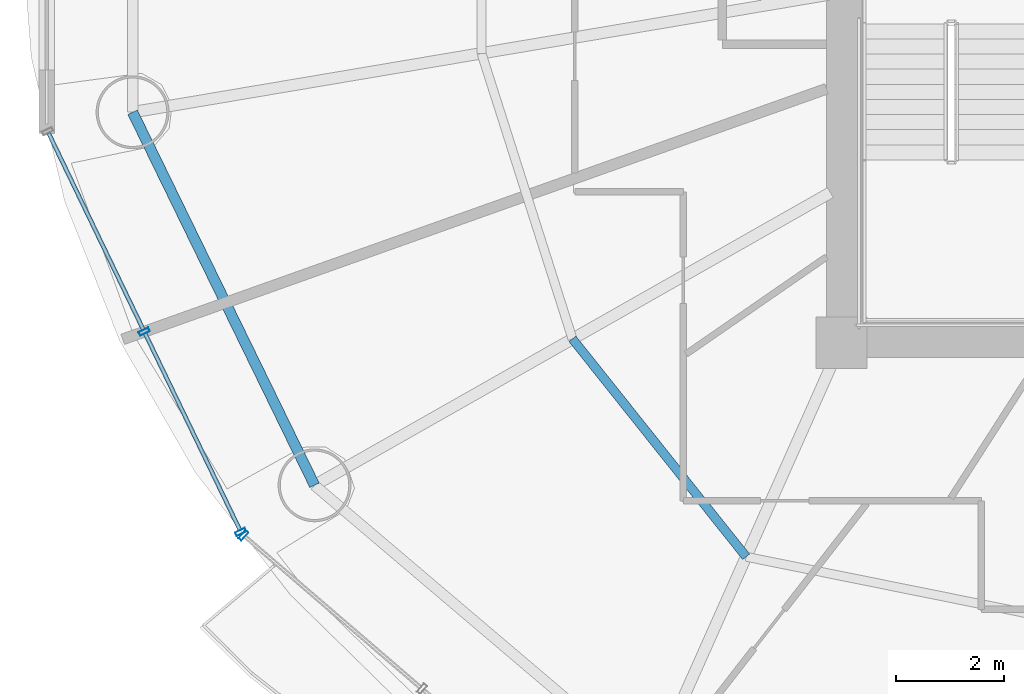
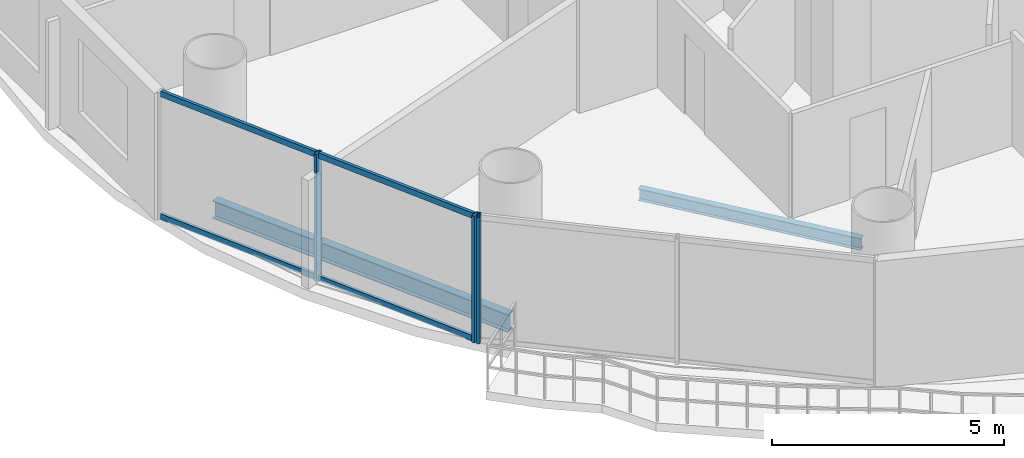
# One storey, part 3 of 27: 7 members, 2 beams, 2 elements without a shape of their own.
"""IFC4 building model written with IfcOpenShell, lengths in metres."""

from ifc_helpers import new_model, si_unit, direction, frame, origin, origin_2d, place, context, subcontext, project, spatial, hollow_rectangle, i_section, extrude, source, transform, mapped, material, material_profile, profile_set, type_object, element, aggregate, save


model = new_model("IFC4")

# Units and contexts
model_context = context("Model", 3, precision=1e-05, world=origin(), true_north=direction((-0.2419218956, 0.970295726276)))
body_context = subcontext(model_context, "Body", "Model", "MODEL_VIEW")
ifc_project = project(units=[si_unit("LENGTHUNIT", "METRE"), si_unit("AREAUNIT", "SQUARE_METRE"), si_unit("VOLUMEUNIT", "CUBIC_METRE"), si_unit("PLANEANGLEUNIT", "RADIAN"), si_unit("MASSUNIT", "GRAM", prefix="KILO")], contexts=[model_context])

# Site, building, storey
site_placement = place(None, origin())
site = spatial("IfcSite", under=ifc_project, at=site_placement, CompositionType="ELEMENT")
building_placement = place(site_placement, origin())
building = spatial("IfcBuilding", under=site, at=building_placement, Name="Cobrevalo Terracotta Tower", CompositionType="ELEMENT")
storey_placement = place(building_placement, frame((0.0, 0.0, 146.199951171875)))
storey = spatial("IfcBuildingStorey", under=building, at=storey_placement, Name="L38", CompositionType="ELEMENT", Elevation=146.199951171875)

# Beams
ifc_material_1 = material(Name="Steel S355", Category="steel")
ifc_material_profile_1 = material_profile(ifc_material_1, i_section(OverallWidth=0.1650390625, OverallDepth=0.31005859375, WebThickness=0.005859375, FlangeThickness=0.009765625, at=origin_2d()), Name="W 310x38.7")
ifc_profile_set_1 = profile_set([ifc_material_profile_1], Name="Steel S355")
beam_type_1 = type_object("IfcBeamType", Name="Structural Joist W 310x38.7 (Steel S355)", PredefinedType="JOIST", material=ifc_profile_set_1)
beam_1_placement = place(storey_placement, frame((24.022705078125, 18.868896484375, -0.425048828125), z_axis=(0.623382939397, -0.781916690492, 0.0), x_axis=(0.781916690492, 0.623382939397, 0.0)))
element("IfcBeam", 1, at=beam_1_placement, inside=storey, type_object=beam_type_1, Name="L38 circumferential secondary floor joist 10", PredefinedType="JOIST", context=body_context, shape_type="SweptSolid", body=[
    extrude(i_section(OverallWidth=0.1650390625, OverallDepth=0.31005859375, WebThickness=0.005859375, FlangeThickness=0.009765625, at=origin_2d()), origin(), (0.0, 0.0, 1.0), 5.154296875),
])
ifc_material_profile_2 = material_profile(ifc_material_1, i_section(OverallWidth=0.194091796875, OverallDepth=0.468994140625, WebThickness=0.011474609375, FlangeThickness=0.0205078125, at=origin_2d()), Name="W 460x106")
ifc_profile_set_2 = profile_set([ifc_material_profile_2], Name="Steel S355")
beam_type_2 = type_object("IfcBeamType", Name="Structural Spandrel W 460x106 (Steel S355)", PredefinedType="SPANDREL", material=ifc_profile_set_2)
beam_2_placement = place(storey_placement, frame((15.88330078125, 23.06396484375, -0.50439453125), z_axis=(0.438380418332, -0.898789524206, 0.0), x_axis=(0.898789524206, 0.438380418332, 0.0)))
element("IfcBeam", 2, at=beam_2_placement, inside=storey, type_object=beam_type_2, Name="L38 perimeter ring spandrel 09", PredefinedType="SPANDREL", context=body_context, shape_type="SweptSolid", body=[
    extrude(i_section(OverallWidth=0.194091796875, OverallDepth=0.468994140625, WebThickness=0.011474609375, FlangeThickness=0.0205078125, at=origin_2d()), origin(), (0.0, 0.0, 1.0), 7.680419921875),
])

# Curtain wall, members
ifc_material_2 = material(Name="Anodized aluminium", Category="aluminium")
curtain_wall_type = type_object("IfcCurtainWallType", Name="Mid-tower high-wind unitised curtain wall CW-U2", PredefinedType="NOTDEFINED", material=ifc_material_2)
curtain_wall_1_placement = place(storey_placement, origin())
curtain_wall_1 = element("IfcCurtainWall", 3, at=curtain_wall_1_placement, inside=storey, type_object=curtain_wall_type, Name="L38 curtain wall CW-L38-S09", PredefinedType="NOTDEFINED")
ifc_material_profile_3 = material_profile(ifc_material_2, hollow_rectangle(XDim=0.074951171875, YDim=0.199951171875, WallThickness=0.0048828125, at=origin_2d()), Name="CWM 75x200")
ifc_profile_set_3 = profile_set([ifc_material_profile_3], Name="Anodized aluminium")
member_type_1 = type_object("IfcMemberType", Name="Lower/mid tower unitised mullion 75x200", PredefinedType="MULLION", material=ifc_profile_set_3)
shared_shape_1 = source(origin(), body_context, "Body", "SweptSolid", [
    extrude(hollow_rectangle(XDim=0.074951171875, YDim=0.199951171875, WallThickness=0.0048828125, at=origin_2d()), origin(), (0.0, 0.0, 1.0), 3.330078125),
])
member_1_placement = place(storey_placement, frame((16.098876953125, 19.00439453125, 0.0), z_axis=(0.0, 0.0, 1.0), x_axis=(0.434209440271, -0.900811945957, 0.0)))
member_1 = element("IfcMember", 4, at=member_1_placement, type_object=member_type_1, Name="CW-L38-S09 vertical mullion 02", PredefinedType="MULLION", context=body_context, shape_type="MappedRepresentation", body=[
    mapped(shared_shape_1, transform((0.0, 0.0, 0.0), scale=1.0)),
])
member_2_placement = place(storey_placement, frame((17.885986328125, 15.296875, 0.0), z_axis=(0.0, 0.0, 1.0), x_axis=(0.434209440271, -0.900811945957, 0.0)))
member_2 = element("IfcMember", 5, at=member_2_placement, type_object=member_type_1, Name="CW-L38-S09 vertical mullion 03", PredefinedType="MULLION", context=body_context, shape_type="MappedRepresentation", body=[
    mapped(shared_shape_1, transform((0.0, 0.0, 0.0), scale=1.0)),
])

# Curtain wall, member
curtain_wall_2_placement = place(storey_placement, origin())
curtain_wall_2 = element("IfcCurtainWall", 6, at=curtain_wall_2_placement, inside=storey, type_object=curtain_wall_type, Name="L38 curtain wall CW-L38-S10", PredefinedType="NOTDEFINED")
member_3_placement = place(storey_placement, frame((17.933837890625, 15.234619140625, 0.0), z_axis=(0.0, 0.0, 1.0), x_axis=(0.758441546142, -0.65174106905, 0.0)))
member_3 = element("IfcMember", 7, at=member_3_placement, type_object=member_type_1, Name="CW-L38-S10 vertical mullion 01", PredefinedType="MULLION", context=body_context, shape_type="MappedRepresentation", body=[
    mapped(shared_shape_1, transform((0.0, 0.0, 0.0), scale=1.0)),
])
aggregate(curtain_wall_2, [member_3])

# Member
ifc_material_profile_4 = material_profile(ifc_material_2, hollow_rectangle(XDim=0.074951171875, YDim=0.14990234375, WallThickness=0.00439453125, at=origin_2d()), Name="CWT 75x150")
ifc_profile_set_4 = profile_set([ifc_material_profile_4], Name="Anodized aluminium")
member_type_2 = type_object("IfcMemberType", Name="Tower unitised aluminium transom 75x150", PredefinedType="USERDEFINED", material=ifc_profile_set_4)
shared_shape_2 = source(origin(), body_context, "Body", "SweptSolid", [
    extrude(hollow_rectangle(XDim=0.074951171875, YDim=0.14990234375, WallThickness=0.00439453125, at=origin_2d()), origin(), (0.0, 0.0, 1.0), 4.035888671875),
])
member_4_placement = place(storey_placement, frame((14.3291015625, 22.676025390625, 0.050048828125), z_axis=(0.434221176581, -0.900806288726, 0.0), x_axis=(0.900806288726, 0.434221176581, 0.0)))
member_4 = element("IfcMember", 8, at=member_4_placement, type_object=member_type_2, Name="CW-L38-S09 transom B01-T1", ObjectType="TRANSOM", PredefinedType="USERDEFINED", context=body_context, shape_type="MappedRepresentation", body=[
    mapped(shared_shape_2, transform((0.0, 0.0, 0.0), scale=1.0)),
])

member_5_placement = place(storey_placement, frame((14.3291015625, 22.676025390625, 3.280029296875), z_axis=(0.434221176581, -0.900806288726, 0.0), x_axis=(0.900806288726, 0.434221176581, 0.0)))
member_5 = element("IfcMember", 9, at=member_5_placement, type_object=member_type_2, Name="CW-L38-S09 transom B01-T2", ObjectType="TRANSOM", PredefinedType="USERDEFINED", context=body_context, shape_type="MappedRepresentation", body=[
    mapped(shared_shape_2, transform((0.0, 0.0, 0.0), scale=1.0)),
])

member_6_placement = place(storey_placement, frame((16.1162109375, 18.96826171875, 0.050048828125), z_axis=(0.434221176581, -0.900806288726, 0.0), x_axis=(0.900806288726, 0.434221176581, 0.0)))
member_6 = element("IfcMember", 10, at=member_6_placement, type_object=member_type_2, Name="CW-L38-S09 transom B02-T1", ObjectType="TRANSOM", PredefinedType="USERDEFINED", context=body_context, shape_type="MappedRepresentation", body=[
    mapped(shared_shape_2, transform((0.0, 0.0, 0.0), scale=1.0)),
])

member_7_placement = place(storey_placement, frame((16.1162109375, 18.96826171875, 3.280029296875), z_axis=(0.434221176581, -0.900806288726, 0.0), x_axis=(0.900806288726, 0.434221176581, 0.0)))
member_7 = element("IfcMember", 11, at=member_7_placement, type_object=member_type_2, Name="CW-L38-S09 transom B02-T2", ObjectType="TRANSOM", PredefinedType="USERDEFINED", context=body_context, shape_type="MappedRepresentation", body=[
    mapped(shared_shape_2, transform((0.0, 0.0, 0.0), scale=1.0)),
])

aggregate(curtain_wall_1, [member_1, member_2, member_4, member_5, member_6, member_7])

save(model, "model.ifc")
